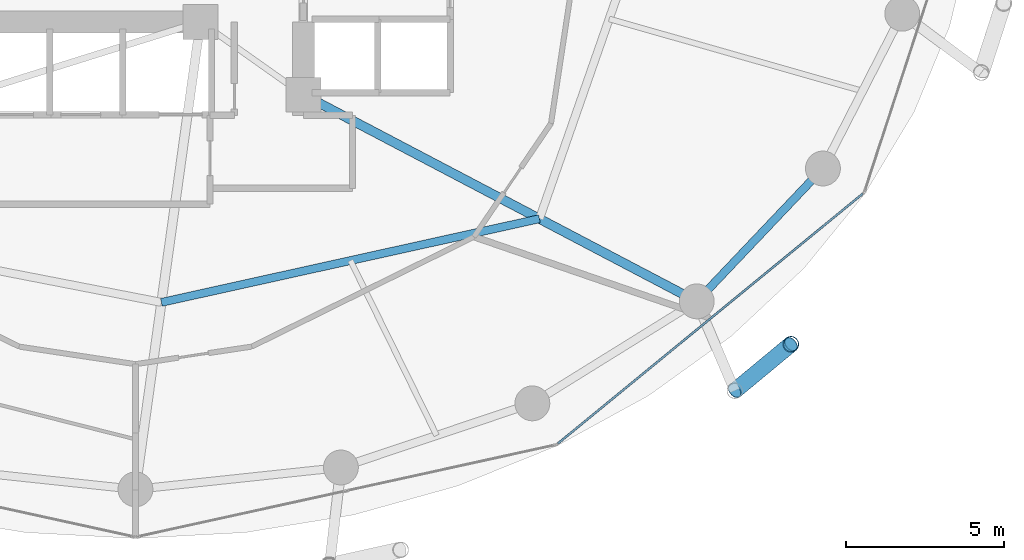
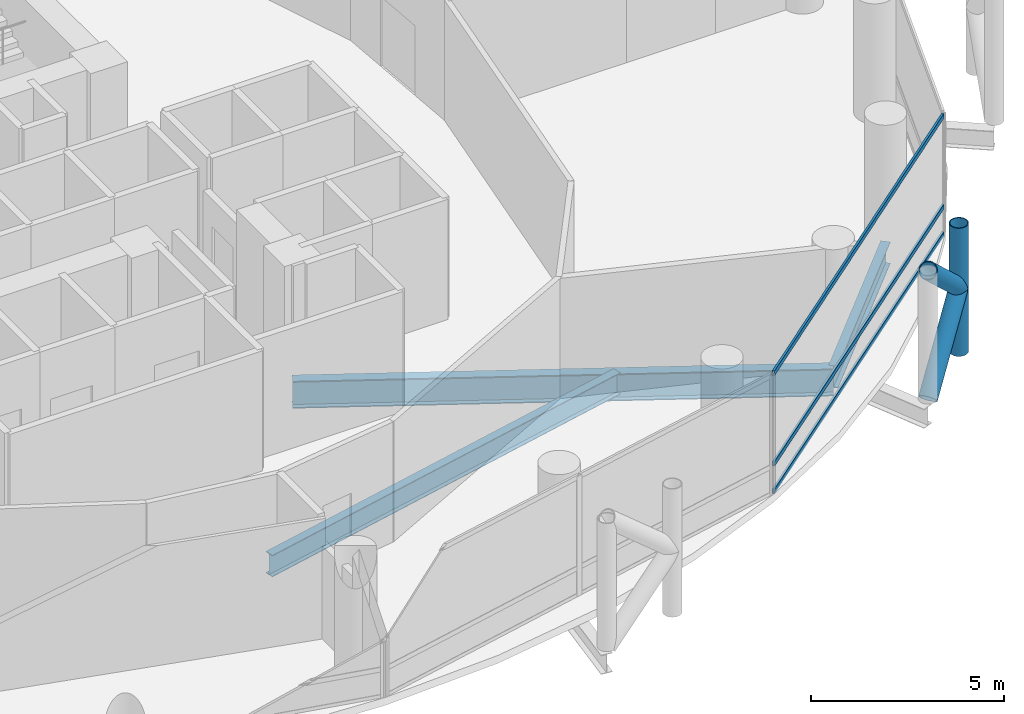
# One storey, part 9 of 24: 6 members, 3 beams, 1 element without a shape of its own.
"""IFC4 building model written with IfcOpenShell, lengths in metres."""

from ifc_helpers import new_model, si_unit, direction, frame, origin, origin_2d, place, context, subcontext, project, spatial, hollow_rectangle, hollow_circle, i_section, extrude, material, layer, layer_set, material_profile, profile_set, type_object, element, aggregate, save


model = new_model("IFC4")

# Units and contexts
model_context = context("Model", 3, precision=1e-05, world=origin(), true_north=direction((0.0, 1.0)))
body_context = subcontext(model_context, "Body", "Model", "MODEL_VIEW")
ifc_project = project(units=[si_unit("LENGTHUNIT", "METRE"), si_unit("AREAUNIT", "SQUARE_METRE"), si_unit("VOLUMEUNIT", "CUBIC_METRE"), si_unit("PLANEANGLEUNIT", "RADIAN"), si_unit("MASSUNIT", "GRAM", prefix="KILO")], contexts=[model_context])

# Site, building, storey
site_placement = place(None, origin())
site = spatial("IfcSite", under=ifc_project, at=site_placement, CompositionType="ELEMENT")
building_placement = place(site_placement, origin())
building = spatial("IfcBuilding", under=site, at=building_placement, Name="Nuhasar Tower", CompositionType="ELEMENT")
storey_placement = place(building_placement, frame((0.0, 0.0, 77.699951171875)))
storey = spatial("IfcBuildingStorey", under=building, at=storey_placement, Name="L18", CompositionType="ELEMENT", Elevation=77.699951171875)

# Beams
ifc_material_1 = material(Name="Steel S355", Category="steel")
ifc_material_profile_1 = material_profile(ifc_material_1, i_section(OverallWidth=0.25390625, OverallDepth=0.68408203125, WebThickness=0.012451171875, FlangeThickness=0.018798828125, at=origin_2d()), Name="W27X94")
ifc_profile_set_1 = profile_set([ifc_material_profile_1], Name="Steel S355")
beam_type_1 = type_object("IfcBeamType", Name="BM-INRING-W27X94", PredefinedType="BEAM", material=ifc_profile_set_1)
beam_1_placement = place(storey_placement, frame((39.820068359375, 12.449951171875, -0.592041015625), z_axis=(0.976386023343, 0.216033176665, 0.0), x_axis=(-0.216033176665, 0.976386023343, 0.0)))
element("IfcBeam", 1, at=beam_1_placement, inside=storey, type_object=beam_type_1, Name="L18 Inner Header Beam 02", PredefinedType="BEAM", context=body_context, shape_type="SweptSolid", body=[
    extrude(i_section(OverallWidth=0.25390625, OverallDepth=0.68408203125, WebThickness=0.012451171875, FlangeThickness=0.018798828125, at=origin_2d()), origin(), (0.0, 0.0, 1.0), 12.216552734375),
])
ifc_material_profile_2 = material_profile(ifc_material_1, i_section(OverallWidth=0.2919921875, OverallDepth=0.85888671875, WebThickness=0.01708984375, FlangeThickness=0.031005859375, at=origin_2d()), Name="W33X169")
ifc_profile_set_2 = profile_set([ifc_material_profile_2], Name="Steel S355")
beam_type_2 = type_object("IfcBeamType", Name="BM-POD-W33X169", PredefinedType="BEAM", material=ifc_profile_set_2)
beam_2_placement = place(storey_placement, frame((44.300048828125, 19.0, -0.679931640625), z_axis=(0.885330348705, -0.464962550816, 0.0), x_axis=(0.464962550816, 0.885330348705, 0.0)))
element("IfcBeam", 2, at=beam_2_placement, inside=storey, type_object=beam_type_2, Name="L18 Radial Floor Girder 03", PredefinedType="BEAM", context=body_context, shape_type="SweptSolid", body=[
    extrude(i_section(OverallWidth=0.2919921875, OverallDepth=0.85888671875, WebThickness=0.01708984375, FlangeThickness=0.031005859375, at=origin_2d()), origin(), (0.0, 0.0, 1.0), 14.0205078125),
])
ifc_material_profile_3 = material_profile(ifc_material_1, i_section(OverallWidth=0.256103515625, OverallDepth=0.693115234375, WebThickness=0.014404296875, FlangeThickness=0.023681640625, at=origin_2d()), Name="W27X114")
ifc_profile_set_3 = profile_set([ifc_material_profile_3], Name="Steel S355")
beam_type_3 = type_object("IfcBeamType", Name="BM-RING-W27X114", PredefinedType="SPANDREL", material=ifc_profile_set_3)
beam_3_placement = place(storey_placement, frame((56.712890625, 12.48095703125, -0.596923828125), z_axis=(0.688459812429, 0.725274490569, 0.0), x_axis=(-0.725274490569, 0.688459812429, 0.0)))
element("IfcBeam", 3, at=beam_3_placement, inside=storey, type_object=beam_type_3, Name="L18 Perimeter Ring Spandrel 22", PredefinedType="SPANDREL", context=body_context, shape_type="SweptSolid", body=[
    extrude(i_section(OverallWidth=0.256103515625, OverallDepth=0.693115234375, WebThickness=0.014404296875, FlangeThickness=0.023681640625, at=origin_2d()), origin(), (0.0, 0.0, 1.0), 5.78271484375),
])

# Curtain wall, members
ifc_material_2 = material(Name="Aluminium 6063-T6", Category="aluminium")
ifc_layer = layer(ifc_material_2, 0.199951171875)
ifc_layer_set = layer_set([ifc_layer], Name="Aluminium 6063-T6")
curtain_wall_type = type_object("IfcCurtainWallType", Name="CW-Z1-OFF", PredefinedType="NOTDEFINED", material=ifc_layer_set)
curtain_wall_placement = place(storey_placement, origin())
curtain_wall = element("IfcCurtainWall", 4, at=curtain_wall_placement, inside=storey, type_object=curtain_wall_type, Name="L18 Unitised Curtain Wall 11", PredefinedType="NOTDEFINED")
ifc_material_profile_4 = material_profile(ifc_material_2, hollow_rectangle(XDim=0.06494140625, YDim=0.14990234375, WallThickness=0.00439453125, at=origin_2d()), Name="CWT-2")
ifc_profile_set_4 = profile_set([ifc_material_profile_4], Name="Aluminium 6063-T6")
member_type_1 = type_object("IfcMemberType", Name="CW-TRN-S2", PredefinedType="USERDEFINED", material=ifc_profile_set_4)
member_1_placement = place(storey_placement, frame((52.330322265625, 7.99609375, 0.032470703125), z_axis=(0.773531229158, 0.633758185365, 0.0), x_axis=(-0.633758185365, 0.773531229158, 0.0)))
member_1 = element("IfcMember", 5, at=member_1_placement, type_object=member_type_1, Name="CW-Z1 transom 1.1", ObjectType="TRANSOM", PredefinedType="USERDEFINED", context=body_context, shape_type="SweptSolid", body=[
    extrude(hollow_rectangle(XDim=0.06494140625, YDim=0.14990234375, WallThickness=0.00439453125, at=origin_2d()), origin(), (0.0, 0.0, 1.0), 12.438232421875),
])
member_2_placement = place(storey_placement, frame((52.330322265625, 7.99609375, 0.900146484375), z_axis=(0.773531229158, 0.633758185365, 0.0), x_axis=(-0.633758185365, 0.773531229158, 0.0)))
member_2 = element("IfcMember", 6, at=member_2_placement, type_object=member_type_1, Name="CW-Z1 transom 1.2", ObjectType="TRANSOM", PredefinedType="USERDEFINED", context=body_context, shape_type="SweptSolid", body=[
    extrude(hollow_rectangle(XDim=0.06494140625, YDim=0.14990234375, WallThickness=0.00439453125, at=origin_2d()), origin(), (0.0, 0.0, 1.0), 12.438232421875),
])
member_3_placement = place(storey_placement, frame((52.330322265625, 7.99609375, 3.767578125), z_axis=(0.773531229158, 0.633758185365, 0.0), x_axis=(-0.633758185365, 0.773531229158, 0.0)))
member_3 = element("IfcMember", 7, at=member_3_placement, type_object=member_type_1, Name="CW-Z1 transom 1.3", ObjectType="TRANSOM", PredefinedType="USERDEFINED", context=body_context, shape_type="SweptSolid", body=[
    extrude(hollow_rectangle(XDim=0.06494140625, YDim=0.14990234375, WallThickness=0.00439453125, at=origin_2d()), origin(), (0.0, 0.0, 1.0), 12.438232421875),
])
aggregate(curtain_wall, [member_1, member_2, member_3])

# Members
ifc_material_3 = material(Name="Steel S460", Category="steel")
ifc_material_profile_5 = material_profile(ifc_material_3, hollow_circle(Radius=0.25390625, WallThickness=0.025390625, at=origin_2d()), Name="HSS508X25.4")
ifc_profile_set_5 = profile_set([ifc_material_profile_5], Name="Steel S460")
member_type_2 = type_object("IfcMemberType", Name="EXO-BRONZE-508", PredefinedType="BRACE", material=ifc_profile_set_5)
member_4_placement = place(storey_placement, frame((59.68505859375, 11.12890625, 0.0), z_axis=(0.0, 0.0, 1.0), x_axis=(1.0, 0.0, 0.0)))
element("IfcMember", 8, at=member_4_placement, inside=storey, type_object=member_type_2, Name="L18 Exoskeleton Chord Column EC-11B", PredefinedType="BRACE", context=body_context, shape_type="SweptSolid", body=[
    extrude(hollow_circle(Radius=0.25390625, WallThickness=0.025390625, at=origin_2d()), origin(), (0.0, 0.0, 1.0), 4.050048828125),
])
member_5_placement = place(storey_placement, frame((57.9130859375, 9.660888671875, 0.0), z_axis=(0.578071194894, 0.478911834514, 0.660664172175), x_axis=(-0.637969333506, 0.770061769929, 0.0)))
element("IfcMember", 9, at=member_5_placement, inside=storey, type_object=member_type_2, Name="L18 Bronze Diagrid Brace W1-11", PredefinedType="BRACE", context=body_context, shape_type="SweptSolid", body=[
    extrude(hollow_circle(Radius=0.25390625, WallThickness=0.025390625, at=origin_2d()), origin(), (0.0, 0.0, 1.0), 3.0654296875),
])
member_6_placement = place(storey_placement, frame((59.68505859375, 11.12890625, 2.025146484375), z_axis=(-0.578101613167, -0.478937034992, 0.660619286251), x_axis=(0.637969333506, -0.770061769929, 0.0)))
element("IfcMember", 10, at=member_6_placement, inside=storey, type_object=member_type_2, Name="L18 Bronze Diagrid Brace W2-11", PredefinedType="BRACE", context=body_context, shape_type="SweptSolid", body=[
    extrude(hollow_circle(Radius=0.25390625, WallThickness=0.025390625, at=origin_2d()), origin(), (0.0, 0.0, 1.0), 3.065185546875),
])

save(model, "model.ifc")
